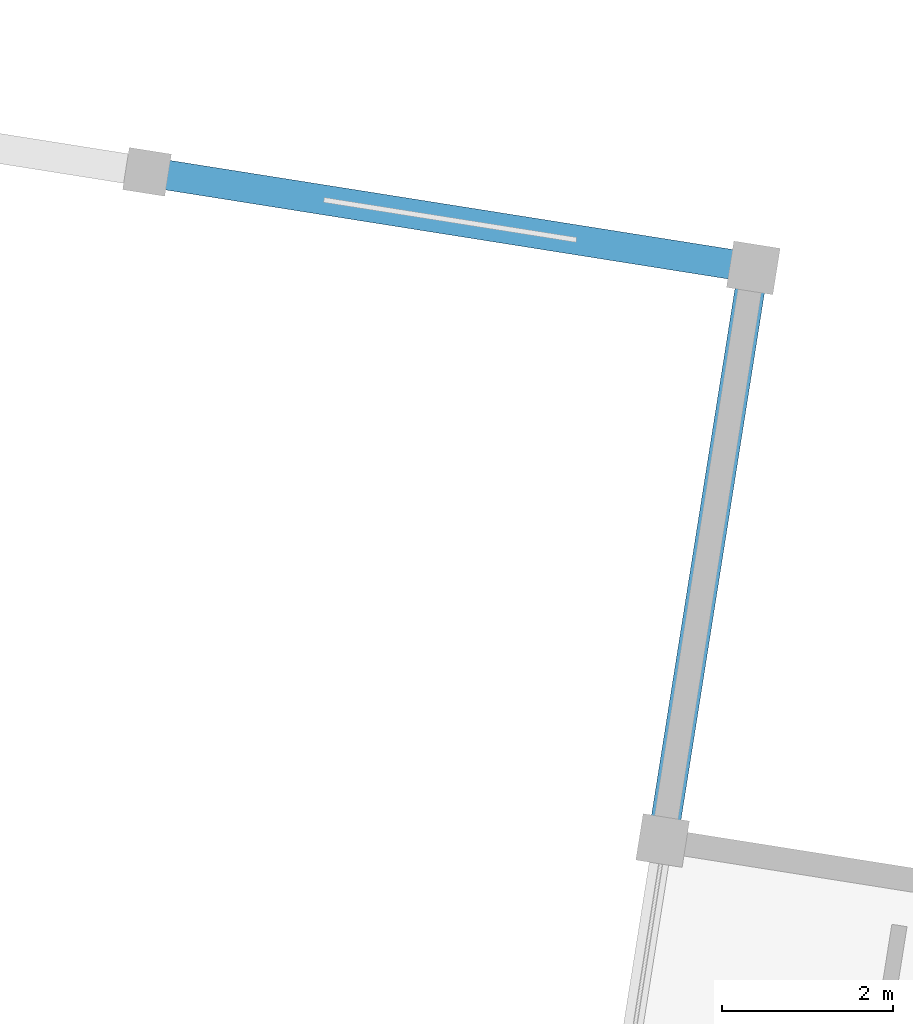
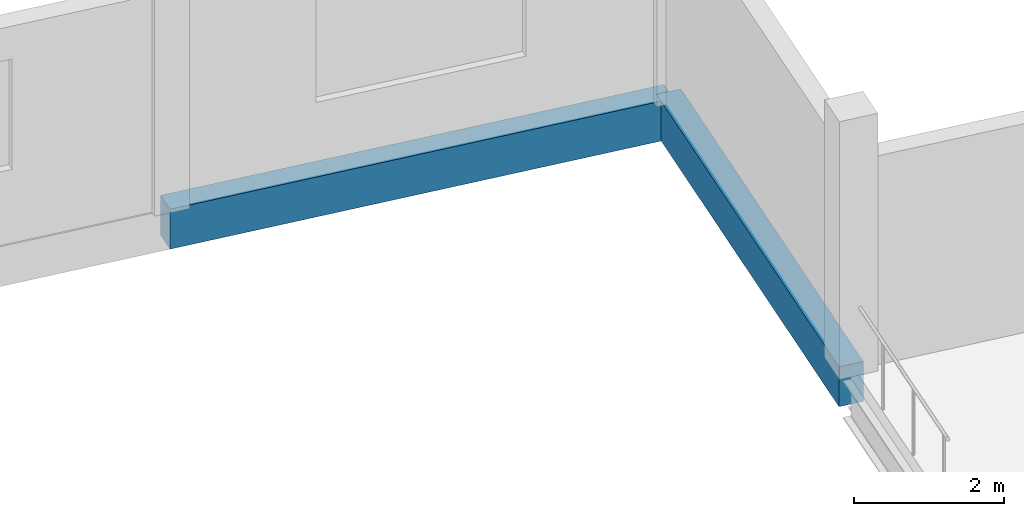
# One storey, part 86 of 137: 2 beams.
"""IFC4 building model written with IfcOpenShell, lengths in metres."""

from ifc_helpers import new_model, si_unit, direction, frame, origin, origin_2d, place, context, subcontext, project, spatial, rectangle, extrude, material, material_profile, profile_set, type_object, element, save


model = new_model("IFC4")

# Units and contexts
model_context = context("Model", 3, precision=1e-05, world=origin(), true_north=direction((0.0, 1.0)))
body_context = subcontext(model_context, "Body", "Model", "MODEL_VIEW")
ifc_project = project(units=[si_unit("LENGTHUNIT", "METRE"), si_unit("AREAUNIT", "SQUARE_METRE"), si_unit("VOLUMEUNIT", "CUBIC_METRE"), si_unit("PLANEANGLEUNIT", "RADIAN"), si_unit("MASSUNIT", "GRAM", prefix="KILO")], contexts=[model_context])

# Site, building, storey
site_placement = place(None, origin())
site = spatial("IfcSite", under=ifc_project, at=site_placement, CompositionType="ELEMENT")
building_placement = place(site_placement, origin())
building = spatial("IfcBuilding", under=site, at=building_placement, Name="Cinderway Yard Community Centre", CompositionType="ELEMENT")
storey_placement = place(building_placement, frame((0.0, 0.0, 4.800048828125)))
storey = spatial("IfcBuildingStorey", under=building, at=storey_placement, Name="L01", CompositionType="ELEMENT", Elevation=4.800048828125)

# Beams
ifc_material = material(Name="Concrete C35/45", Category="concrete")
ifc_material_profile = material_profile(ifc_material, rectangle(XDim=0.35009765625, YDim=0.64990234375, at=origin_2d()), Name="Concrete C35/45")
ifc_profile_set = profile_set([ifc_material_profile], Name="Concrete C35/45")
beam_type = type_object("IfcBeamType", Name="STR-BM-RC350X650", PredefinedType="BEAM", material=ifc_profile_set)
beam_1_placement = place(storey_placement, frame((138.60498046875, 76.044921875, -0.324951171875), z_axis=(0.987698277051, -0.156371715827, 0.0), x_axis=(0.156371715827, 0.987698277051, 0.0)))
element("IfcBeam", 1, at=beam_1_placement, inside=storey, type_object=beam_type, Name="Sports Hall north ring beam STR-BM-L01-BG08-0106", PredefinedType="BEAM", context=body_context, shape_type="SweptSolid", body=[
    extrude(rectangle(XDim=0.35009765625, YDim=0.64990234375, at=origin_2d()), origin(), (0.0, 0.0, 1.0), 7.20068359375),
])
beam_2_placement = place(storey_placement, frame((144.653076171875, 68.201904296875, -0.324951171875), z_axis=(0.156447383815, 0.987686294376, 0.0), x_axis=(-0.987686294376, 0.156447383815, 0.0)))
element("IfcBeam", 2, at=beam_2_placement, inside=storey, type_object=beam_type, Name="Sports return girder STR-BM-L01-BG08-0110", PredefinedType="BEAM", context=body_context, shape_type="SweptSolid", body=[
    extrude(rectangle(XDim=0.35009765625, YDim=0.64990234375, at=origin_2d()), origin(), (0.0, 0.0, 1.0), 6.80078125),
])

save(model, "model.ifc")
